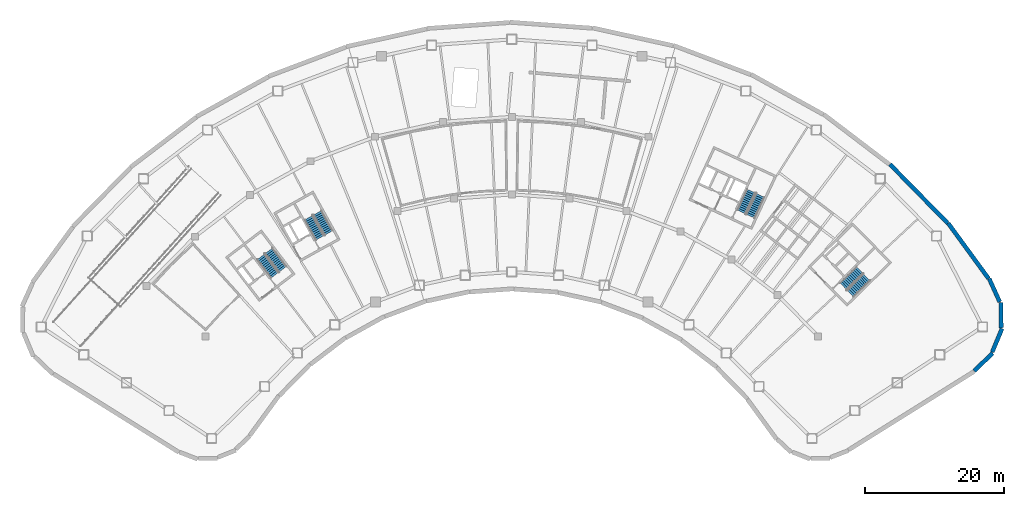
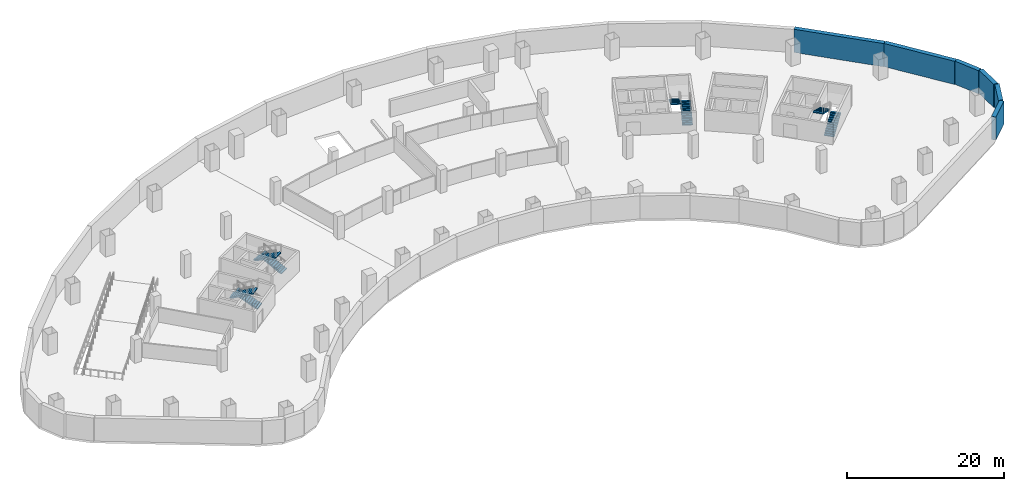
# One storey, part 8 of 10: 8 stair flights, 6 walls, 4 elements without a shape of their own.
"""IFC4 building model written with IfcOpenShell, lengths in metres."""

import ifcopenshell
import ifcopenshell.guid

model = None  # the IFC model being written
_history = None  # IfcOwnerHistory: only IFC2X3 demands one
_inside = {}  # id of a spatial element -> (the spatial element, [elements in it])
_under = {}  # id of a project, library or spatial element -> (it, [spatial elements below it])
_declared = {}  # id of a project -> (the project, [libraries it declares])
_typed = {}  # id of a type object -> (the type object, [elements of that type])
_made_of = {}  # id of a material, layer set ... -> (it, [elements and type objects made of it])


def new_model(schema):
    """Start an empty IFC model of exactly this schema.

    Asked for "IFC4X3", IfcOpenShell would pick the latest addendum, in which some entities
    have other attributes; the version numbers below select the first issue.
    IFC2X3 requires an IfcOwnerHistory on every rooted entity: one is made here for all.
    """
    global model, _history
    if schema == "IFC4X3":
        model = ifcopenshell.file(schema_version=(4, 3, 0, 0))
    else:
        model = ifcopenshell.file(schema=schema)
    _inside.clear()
    _under.clear()
    _declared.clear()
    _typed.clear()
    _made_of.clear()
    _history = None
    if model.schema == "IFC2X3":
        org = make("IfcOrganization", Name="unknown")
        user = make(
            "IfcPersonAndOrganization",
            ThePerson=make("IfcPerson", FamilyName="unknown"),
            TheOrganization=org,
        )
        app = make(
            "IfcApplication",
            ApplicationDeveloper=org,
            Version="unknown",
            ApplicationFullName="unknown",
            ApplicationIdentifier="unknown",
        )
        _history = make(
            "IfcOwnerHistory",
            OwningUser=user,
            OwningApplication=app,
            ChangeAction="ADDED",
            CreationDate=0,
        )
    return model


def make(cls, **values):
    """One entity of the class cls with the attributes given. An attribute that is None is left unset."""
    return model.create_entity(
        cls, **{name: value for name, value in values.items() if value is not None}
    )


def rooted(cls, **values):
    """An entity with a GlobalId (a new one), such as an element, a storey or a relation."""
    return make(cls, GlobalId=ifcopenshell.guid.new(), OwnerHistory=_history, **values)


def si_unit(unit_type, name, prefix=None):
    """IfcSIUnit, for example si_unit("LENGTHUNIT", "METRE", prefix="MILLI")."""
    return make("IfcSIUnit", UnitType=unit_type, Prefix=prefix, Name=name)


def assignment(units):
    """IfcUnitAssignment: the units of a project."""
    return None if units is None else make("IfcUnitAssignment", Units=units)


def point(xyz):
    """IfcCartesianPoint."""
    return None if xyz is None else make("IfcCartesianPoint", Coordinates=xyz)


def direction(xyz):
    """IfcDirection."""
    return None if xyz is None else make("IfcDirection", DirectionRatios=xyz)


def frame(location, z_axis=None, x_axis=None):
    """IfcAxis2Placement3D, a coordinate frame: its origin and axes. An axis left out is left unset."""
    return make(
        "IfcAxis2Placement3D",
        Location=point(location),
        Axis=direction(z_axis),
        RefDirection=direction(x_axis),
    )


def frame_2d(location, x_axis=None):
    """IfcAxis2Placement2D, a coordinate frame in the plane: its origin and x axis."""
    return make(
        "IfcAxis2Placement2D", Location=point(location), RefDirection=direction(x_axis)
    )


def origin():
    """The frame at (0, 0, 0) with its axes left unset."""
    return frame((0.0, 0.0, 0.0))


def place(relative_to, where):
    """IfcLocalPlacement: puts the frame where relative to a parent placement (None: the world)."""
    return make(
        "IfcLocalPlacement", PlacementRelTo=relative_to, RelativePlacement=where
    )


def context(
    kind, dimensions, precision=None, world=None, true_north=None, identifier=None
):
    """IfcGeometricRepresentationContext, for example the 3D "Model" context."""
    return make(
        "IfcGeometricRepresentationContext",
        ContextIdentifier=identifier,
        ContextType=kind,
        CoordinateSpaceDimension=dimensions,
        Precision=precision,
        WorldCoordinateSystem=world,
        TrueNorth=true_north,
    )


def subcontext(parent, identifier, kind, view, scale=None):
    """IfcGeometricRepresentationSubContext, for example "Body" below "Model"."""
    return make(
        "IfcGeometricRepresentationSubContext",
        ContextIdentifier=identifier,
        ContextType=kind,
        ParentContext=parent,
        TargetScale=scale,
        TargetView=view,
    )


def project(units=None, contexts=None):
    """IfcProject with its units and contexts."""
    return rooted(
        "IfcProject",
        Name="project",
        RepresentationContexts=contexts,
        UnitsInContext=assignment(units),
    )


def spatial(cls, under=None, at=None, **own):
    """A site, building, storey or space (cls), placed at a placement, below another one or the project."""
    s = rooted(cls, ObjectPlacement=at, **own)
    if under is not None:
        _under.setdefault(under.id(), (under, []))[1].append(s)
    return s


def polyline(points):
    """IfcPolyline through the points."""
    return make("IfcPolyline", Points=[point(p) for p in points])


def profile(cls, at=None, kind="AREA", **sizes):
    """A parametric profile (cls). Its sizes go by their IFC names, for example OverallWidth=200.0."""
    return make(cls, ProfileType=kind, Position=at, **sizes)


def rectangle(**sizes):
    """IfcRectangleProfileDef."""
    return profile("IfcRectangleProfileDef", **sizes)


def outline(outer, holes=None, kind="AREA"):
    """IfcArbitraryClosedProfileDef: a profile drawn as a closed curve; with holes, ...WithVoids."""
    if holes is None:
        return make("IfcArbitraryClosedProfileDef", ProfileType=kind, OuterCurve=outer)
    return make(
        "IfcArbitraryProfileDefWithVoids",
        ProfileType=kind,
        OuterCurve=outer,
        InnerCurves=holes,
    )


def extrude(swept, where, along, depth):
    """IfcExtrudedAreaSolid: the profile swept, set in the frame where, extruded along a direction by depth."""
    return make(
        "IfcExtrudedAreaSolid",
        SweptArea=swept,
        Position=where,
        ExtrudedDirection=direction(along),
        Depth=depth,
    )


def shape(context_of_items, identifier, shape_type, items):
    """IfcShapeRepresentation: the items that make up one representation, for example the "Body"."""
    return make(
        "IfcShapeRepresentation",
        ContextOfItems=context_of_items,
        RepresentationIdentifier=identifier,
        RepresentationType=shape_type,
        Items=items,
    )


def material(Name=None, Category=None):
    """IfcMaterial."""
    return make("IfcMaterial", Name=Name, Category=Category)


def layer(
    of_material, thickness, ventilated=None, Name=None, Category=None, Priority=None
):
    """IfcMaterialLayer: one layer of a wall or slab, of a material (None: an air gap)."""
    return make(
        "IfcMaterialLayer",
        Material=of_material,
        LayerThickness=thickness,
        IsVentilated=ventilated,
        Name=Name,
        Category=Category,
        Priority=Priority,
    )


def layer_set(layers, Name=None):
    """IfcMaterialLayerSet."""
    return make("IfcMaterialLayerSet", MaterialLayers=layers, LayerSetName=Name)


def made_of(thing, what):
    """Note that an element or type object is made of a material, layer set ...; save() writes the relation."""
    if what is not None:
        _made_of.setdefault(what.id(), (what, []))[1].append(thing)
    return thing


def type_object(cls, material=None, **own):
    """A type object (cls), such as IfcWallType, which elements share."""
    return made_of(rooted(cls, **own), material)


def element(
    cls,
    number,
    at=None,
    inside=None,
    cuts=None,
    type_object=None,
    material=None,
    context=None,
    identifier="Body",
    shape_type=None,
    held_by="IfcProductDefinitionShape",
    body=None,
    shapes=None,
    **own,
):
    """One element of the class cls, such as IfcWall. Its Tag is "e" and its number.

    at: its placement. inside: the storey or other place that contains it. cuts: it is an
    opening in that element (IfcRelVoidsElement). A single representation is given by context,
    identifier, shape_type and body (its items); several are given by shapes. held_by: the class
    of the entity that holds the representations. save() writes the other relations.
    """
    e = rooted(cls, Tag="e%d" % number, ObjectPlacement=at, **own)
    if body is not None:
        shapes = [shape(context, identifier, shape_type, body)]
    if shapes is not None:
        e.Representation = make(held_by, Representations=shapes)
    if inside is not None:
        _inside.setdefault(inside.id(), (inside, []))[1].append(e)
    if cuts is not None:
        rooted(
            "IfcRelVoidsElement", RelatingBuildingElement=cuts, RelatedOpeningElement=e
        )
    if type_object is not None:
        _typed.setdefault(type_object.id(), (type_object, []))[1].append(e)
    return made_of(e, material)


def aggregate(whole, parts):
    """IfcRelAggregates: a whole, such as a stair, and the parts it consists of."""
    return rooted("IfcRelAggregates", RelatingObject=whole, RelatedObjects=parts)


def save(model, path):
    """Write the relations noted so far, then the file.

    IfcRelAggregates (storeys below a building ...), IfcRelContainedInSpatialStructure (elements
    in a storey), IfcRelDefinesByType, IfcRelAssociatesMaterial and IfcRelDeclares: one each for
    every whole, place, type object, material and project.
    """
    for whole, parts in _under.values():
        aggregate(whole, parts)
    for where, things in _inside.values():
        rooted(
            "IfcRelContainedInSpatialStructure",
            RelatedElements=things,
            RelatingStructure=where,
        )
    for kind, things in _typed.values():
        rooted("IfcRelDefinesByType", RelatedObjects=things, RelatingType=kind)
    for what, things in _made_of.values():
        rooted("IfcRelAssociatesMaterial", RelatedObjects=things, RelatingMaterial=what)
    for by, libraries in _declared.values():
        rooted("IfcRelDeclares", RelatingContext=by, RelatedDefinitions=libraries)
    model.write(path)


model = new_model("IFC4")

# Units and contexts
model_context = context("Model", 3, precision=1e-05, world=origin(), true_north=direction((0.0, 1.0)))
body_context = subcontext(model_context, "Body", "Model", "MODEL_VIEW")
ifc_project = project(units=[si_unit("LENGTHUNIT", "METRE"), si_unit("AREAUNIT", "SQUARE_METRE"), si_unit("VOLUMEUNIT", "CUBIC_METRE"), si_unit("PLANEANGLEUNIT", "RADIAN"), si_unit("MASSUNIT", "GRAM", prefix="KILO")], contexts=[model_context])

# Site, building, storey
site_placement = place(None, origin())
site = spatial("IfcSite", under=ifc_project, at=site_placement, CompositionType="ELEMENT")
building_placement = place(site_placement, origin())
building = spatial("IfcBuilding", under=site, at=building_placement, Name="Tuul Gate Civic Tower", CompositionType="ELEMENT")
storey_placement = place(building_placement, frame((0.0, 0.0, -8.10009765625)))
storey = spatial("IfcBuildingStorey", under=building, at=storey_placement, Name="Basement 2", CompositionType="ELEMENT", Elevation=-8.10009765625)

# Walls
ifc_material_1 = material(Name="Concrete C40/50", Category="concrete")
ifc_layer = layer(ifc_material_1, 0.60009765625)
ifc_layer_set = layer_set([ifc_layer], Name="Concrete C40/50")
wall_type = type_object("IfcWallType", Name="STR-BASEMENT-WALL-600", PredefinedType="SOLIDWALL", material=ifc_layer_set)
wall_1_placement = place(storey_placement, frame((66.369140625, -27.698486328125, 0.0), z_axis=(0.0, 0.0, 1.0), x_axis=(0.722172464987, 0.691713040801, 0.0)))
element("IfcWall", 1, at=wall_1_placement, inside=storey, type_object=wall_type, Name="Retaining wall", PredefinedType="SOLIDWALL", context=body_context, shape_type="SweptSolid", body=[
    extrude(rectangle(XDim=3.695068359375, YDim=0.60009765625, at=frame_2d((1.84765625, 0.0))), origin(), (0.0, 0.0, 1.0), 3.60009765625),
])
wall_2_placement = place(storey_placement, frame((68.973876953125, -24.984619140625, 0.0), z_axis=(0.0, 0.0, 1.0), x_axis=(0.38582474077, 0.922572094424, 0.0)))
element("IfcWall", 2, at=wall_2_placement, inside=storey, type_object=wall_type, Name="Retaining wall", PredefinedType="SOLIDWALL", context=body_context, shape_type="SweptSolid", body=[
    extrude(rectangle(XDim=3.654296875, YDim=0.60009765625, at=frame_2d((1.8271484375, 0.0))), origin(), (0.0, 0.0, 1.0), 3.60009765625),
])
wall_3_placement = place(storey_placement, frame((70.26220703125, -21.494140625, 0.0), z_axis=(0.0, 0.0, 1.0), x_axis=(-0.014359617427, 0.999896895378, 0.0)))
element("IfcWall", 3, at=wall_3_placement, inside=storey, type_object=wall_type, Name="Retaining wall", PredefinedType="SOLIDWALL", context=body_context, shape_type="SweptSolid", body=[
    extrude(rectangle(XDim=3.655517578125, YDim=0.60009765625, at=frame_2d((1.82763671875, 0.0))), origin(), (0.0, 0.0, 1.0), 3.60009765625),
])
wall_4_placement = place(storey_placement, frame((70.050537109375, -17.7783203125, 0.0), z_axis=(0.0, 0.0, 1.0), x_axis=(-0.413012649276, 0.910725288733, 0.0)))
element("IfcWall", 4, at=wall_4_placement, inside=storey, type_object=wall_type, Name="Retaining wall", PredefinedType="SOLIDWALL", context=body_context, shape_type="SweptSolid", body=[
    extrude(rectangle(XDim=3.65478515625, YDim=0.60009765625, at=frame_2d((1.827392578125, 0.0))), origin(), (0.0, 0.0, 1.0), 3.60009765625),
])
wall_5_placement = place(storey_placement, frame((68.454833984375, -14.435302734375, 0.0), z_axis=(0.0, 0.0, 1.0), x_axis=(-0.58971390071, 0.807612230783, 0.0)))
element("IfcWall", 5, at=wall_5_placement, inside=storey, type_object=wall_type, Name="Retaining wall", PredefinedType="SOLIDWALL", context=body_context, shape_type="SweptSolid", body=[
    extrude(rectangle(XDim=9.82958984375, YDim=0.60009765625, at=frame_2d((4.914794921875, 0.0))), origin(), (0.0, 0.0, 1.0), 3.60009765625),
])
wall_6_placement = place(storey_placement, frame((62.595947265625, -6.4951171875, 0.0), z_axis=(0.0, 0.0, 1.0), x_axis=(-0.70006297283, 0.71408111169, 0.0)))
element("IfcWall", 6, at=wall_6_placement, inside=storey, type_object=wall_type, Name="Retaining wall", PredefinedType="SOLIDWALL", context=body_context, shape_type="SweptSolid", body=[
    extrude(rectangle(XDim=11.8603515625, YDim=0.60009765625, at=frame_2d((5.93017578125, 0.0))), origin(), (0.0, 0.0, 1.0), 3.60009765625),
])

# Stair, stair flights
ifc_material_2 = material(Name="Concrete C40/50", Category="concrete")
stair_type = type_object("IfcStairType", Name="Exit stair", PredefinedType="HALF_TURN_STAIR", material=ifc_material_2)
stair_1_placement = place(storey_placement, origin())
stair_1 = element("IfcStair", 7, at=stair_1_placement, inside=storey, type_object=stair_type, Name="Basement 2 ST-1", PredefinedType="HALF_TURN_STAIR")
ifc_material_3 = material(Name="Concrete C40/50", Category="concrete")
stair_flight_type = type_object("IfcStairFlightType", Name="Exit stair flight", PredefinedType="STRAIGHT", material=ifc_material_3)
stair_flight_1_placement = place(storey_placement, frame((-32.875244140625, -13.066650390625, 0.0), z_axis=(0.0, 0.0, 1.0), x_axis=(-0.605764474941, 0.795644016442, 0.0)))
stair_flight_1 = element("IfcStairFlight", 8, at=stair_flight_1_placement, type_object=stair_flight_type, Name="ST-1 flight 1", NumberOfRisers=12, NumberOfTreads=11, PredefinedType="STRAIGHT", RiserHeight=0.15, TreadLength=0.3, context=body_context, shape_type="SweptSolid", body=[
    extrude(outline(polyline([(0.0, 0.0), (0.0, 0.14990234375), (0.300048828125, 0.14990234375), (0.300048828125, 0.300048828125), (0.60009765625, 0.300048828125), (0.60009765625, 0.449951171875), (0.89990234375, 0.449951171875), (0.89990234375, 0.60009765625), (1.199951171875, 0.60009765625), (1.199951171875, 0.75), (1.5, 0.75), (1.5, 0.89990234375), (1.800048828125, 0.89990234375), (1.800048828125, 1.050048828125), (2.10009765625, 1.050048828125), (2.10009765625, 1.199951171875), (2.39990234375, 1.199951171875), (2.39990234375, 1.35009765625), (2.699951171875, 1.35009765625), (2.699951171875, 1.5), (3.0, 1.5), (3.0, 1.64990234375), (3.300048828125, 1.64990234375), (3.300048828125, 1.800048828125), (3.300048828125, 1.482421875), (0.335205078125, 0.0), (0.0, 0.0)])), frame((0.0, 0.675048828125, 0.0), z_axis=(0.0, -1.0, 0.0), x_axis=(1.0, 0.0, 0.0)), (0.0, 0.0, 1.0), 1.35009765625),
])
stair_flight_2_placement = place(storey_placement, frame((-36.02783203125, -11.319580078125, 1.800048828125), z_axis=(0.0, 0.0, 1.0), x_axis=(0.605764474941, -0.795644016442, 0.0)))
stair_flight_2 = element("IfcStairFlight", 9, at=stair_flight_2_placement, type_object=stair_flight_type, Name="ST-1 flight 2", NumberOfRisers=12, NumberOfTreads=11, PredefinedType="STRAIGHT", RiserHeight=0.15, TreadLength=0.3, context=body_context, shape_type="SweptSolid", body=[
    extrude(outline(polyline([(0.0, 0.0), (0.0, 0.14990234375), (0.300048828125, 0.14990234375), (0.300048828125, 0.300048828125), (0.60009765625, 0.300048828125), (0.60009765625, 0.449951171875), (0.89990234375, 0.449951171875), (0.89990234375, 0.60009765625), (1.199951171875, 0.60009765625), (1.199951171875, 0.75), (1.5, 0.75), (1.5, 0.89990234375), (1.800048828125, 0.89990234375), (1.800048828125, 1.050048828125), (2.10009765625, 1.050048828125), (2.10009765625, 1.199951171875), (2.39990234375, 1.199951171875), (2.39990234375, 1.35009765625), (2.699951171875, 1.35009765625), (2.699951171875, 1.5), (3.0, 1.5), (3.0, 1.64990234375), (3.300048828125, 1.64990234375), (3.300048828125, 1.800048828125), (3.300048828125, 1.482421875), (0.335205078125, 0.0), (0.0, 0.0)])), frame((0.0, 0.675048828125, 0.0), z_axis=(0.0, -1.0, 0.0), x_axis=(1.0, 0.0, 0.0)), (0.0, 0.0, 1.0), 1.35009765625),
])
aggregate(stair_1, [stair_flight_1, stair_flight_2])

stair_2_placement = place(storey_placement, origin())
stair_2 = element("IfcStair", 10, at=stair_2_placement, inside=storey, type_object=stair_type, Name="Basement 2 ST-2", PredefinedType="HALF_TURN_STAIR")
stair_flight_3_placement = place(storey_placement, frame((-26.29150390625, -7.87646484375, 0.0), z_axis=(0.0, 0.0, 1.0), x_axis=(-0.484761763766, 0.874646232708, 0.0)))
stair_flight_3 = element("IfcStairFlight", 11, at=stair_flight_3_placement, type_object=stair_flight_type, Name="ST-2 flight 1", NumberOfRisers=12, NumberOfTreads=11, PredefinedType="STRAIGHT", RiserHeight=0.15, TreadLength=0.3, context=body_context, shape_type="SweptSolid", body=[
    extrude(outline(polyline([(0.0, 0.0), (0.0, 0.14990234375), (0.300048828125, 0.14990234375), (0.300048828125, 0.300048828125), (0.60009765625, 0.300048828125), (0.60009765625, 0.449951171875), (0.89990234375, 0.449951171875), (0.89990234375, 0.60009765625), (1.199951171875, 0.60009765625), (1.199951171875, 0.75), (1.5, 0.75), (1.5, 0.89990234375), (1.800048828125, 0.89990234375), (1.800048828125, 1.050048828125), (2.10009765625, 1.050048828125), (2.10009765625, 1.199951171875), (2.39990234375, 1.199951171875), (2.39990234375, 1.35009765625), (2.699951171875, 1.35009765625), (2.699951171875, 1.5), (3.0, 1.5), (3.0, 1.64990234375), (3.300048828125, 1.64990234375), (3.300048828125, 1.800048828125), (3.300048828125, 1.482421875), (0.335205078125, 0.0), (0.0, 0.0)])), frame((0.0, 0.675048828125, 0.0), z_axis=(0.0, -1.0, 0.0), x_axis=(1.0, 0.0, 0.0)), (0.0, 0.0, 1.0), 1.35009765625),
])
stair_flight_4_placement = place(storey_placement, frame((-29.15966796875, -5.693115234375, 1.800048828125), z_axis=(0.0, 0.0, 1.0), x_axis=(0.484761763766, -0.874646232708, 0.0)))
stair_flight_4 = element("IfcStairFlight", 12, at=stair_flight_4_placement, type_object=stair_flight_type, Name="ST-2 flight 2", NumberOfRisers=12, NumberOfTreads=11, PredefinedType="STRAIGHT", RiserHeight=0.15, TreadLength=0.3, context=body_context, shape_type="SweptSolid", body=[
    extrude(outline(polyline([(0.0, 0.0), (0.0, 0.14990234375), (0.300048828125, 0.14990234375), (0.300048828125, 0.300048828125), (0.60009765625, 0.300048828125), (0.60009765625, 0.449951171875), (0.89990234375, 0.449951171875), (0.89990234375, 0.60009765625), (1.199951171875, 0.60009765625), (1.199951171875, 0.75), (1.5, 0.75), (1.5, 0.89990234375), (1.800048828125, 0.89990234375), (1.800048828125, 1.050048828125), (2.10009765625, 1.050048828125), (2.10009765625, 1.199951171875), (2.39990234375, 1.199951171875), (2.39990234375, 1.35009765625), (2.699951171875, 1.35009765625), (2.699951171875, 1.5), (3.0, 1.5), (3.0, 1.64990234375), (3.300048828125, 1.64990234375), (3.300048828125, 1.800048828125), (3.300048828125, 1.482421875), (0.335205078125, 0.0), (0.0, 0.0)])), frame((0.0, 0.675048828125, 0.0), z_axis=(0.0, -1.0, 0.0), x_axis=(1.0, 0.0, 0.0)), (0.0, 0.0, 1.0), 1.35009765625),
])
aggregate(stair_2, [stair_flight_3, stair_flight_4])

stair_3_placement = place(storey_placement, origin())
stair_3 = element("IfcStair", 13, at=stair_3_placement, inside=storey, type_object=stair_type, Name="Basement 2 ST-3", PredefinedType="HALF_TURN_STAIR")
stair_flight_5_placement = place(storey_placement, frame((48.61376953125, -16.581787109375, 0.0), z_axis=(0.0, 0.0, 1.0), x_axis=(0.714127290059, 0.700015866672, 0.0)))
stair_flight_5 = element("IfcStairFlight", 14, at=stair_flight_5_placement, type_object=stair_flight_type, Name="ST-3 flight 1", NumberOfRisers=12, NumberOfTreads=11, PredefinedType="STRAIGHT", RiserHeight=0.15, TreadLength=0.3, context=body_context, shape_type="SweptSolid", body=[
    extrude(outline(polyline([(0.0, 0.0), (0.0, 0.14990234375), (0.300048828125, 0.14990234375), (0.300048828125, 0.300048828125), (0.60009765625, 0.300048828125), (0.60009765625, 0.449951171875), (0.89990234375, 0.449951171875), (0.89990234375, 0.60009765625), (1.199951171875, 0.60009765625), (1.199951171875, 0.75), (1.5, 0.75), (1.5, 0.89990234375), (1.800048828125, 0.89990234375), (1.800048828125, 1.050048828125), (2.10009765625, 1.050048828125), (2.10009765625, 1.199951171875), (2.39990234375, 1.199951171875), (2.39990234375, 1.35009765625), (2.699951171875, 1.35009765625), (2.699951171875, 1.5), (3.0, 1.5), (3.0, 1.64990234375), (3.300048828125, 1.64990234375), (3.300048828125, 1.800048828125), (3.300048828125, 1.482421875), (0.335205078125, 0.0), (0.0, 0.0)])), frame((0.0, 0.675048828125, 0.0), z_axis=(0.0, -1.0, 0.0), x_axis=(1.0, 0.0, 0.0)), (0.0, 0.0, 1.0), 1.35009765625),
])
stair_flight_6_placement = place(storey_placement, frame((49.955322265625, -13.236083984375, 1.800048828125), z_axis=(0.0, 0.0, 1.0), x_axis=(-0.714127290059, -0.700015866672, 0.0)))
stair_flight_6 = element("IfcStairFlight", 15, at=stair_flight_6_placement, type_object=stair_flight_type, Name="ST-3 flight 2", NumberOfRisers=12, NumberOfTreads=11, PredefinedType="STRAIGHT", RiserHeight=0.15, TreadLength=0.3, context=body_context, shape_type="SweptSolid", body=[
    extrude(outline(polyline([(0.0, 0.0), (0.0, 0.14990234375), (0.300048828125, 0.14990234375), (0.300048828125, 0.300048828125), (0.60009765625, 0.300048828125), (0.60009765625, 0.449951171875), (0.89990234375, 0.449951171875), (0.89990234375, 0.60009765625), (1.199951171875, 0.60009765625), (1.199951171875, 0.75), (1.5, 0.75), (1.5, 0.89990234375), (1.800048828125, 0.89990234375), (1.800048828125, 1.050048828125), (2.10009765625, 1.050048828125), (2.10009765625, 1.199951171875), (2.39990234375, 1.199951171875), (2.39990234375, 1.35009765625), (2.699951171875, 1.35009765625), (2.699951171875, 1.5), (3.0, 1.5), (3.0, 1.64990234375), (3.300048828125, 1.64990234375), (3.300048828125, 1.800048828125), (3.300048828125, 1.482421875), (0.335205078125, 0.0), (0.0, 0.0)])), frame((0.0, 0.675048828125, 0.0), z_axis=(0.0, -1.0, 0.0), x_axis=(1.0, 0.0, 0.0)), (0.0, 0.0, 1.0), 1.35009765625),
])
aggregate(stair_3, [stair_flight_5, stair_flight_6])

stair_4_placement = place(storey_placement, origin())
stair_4 = element("IfcStair", 16, at=stair_4_placement, inside=storey, type_object=stair_type, Name="Basement 2 ST-4", PredefinedType="HALF_TURN_STAIR")
stair_flight_7_placement = place(storey_placement, frame((34.278564453125, -5.478515625, 0.0), z_axis=(0.0, 0.0, 1.0), x_axis=(0.422576295988, 0.906327354806, 0.0)))
stair_flight_7 = element("IfcStairFlight", 17, at=stair_flight_7_placement, type_object=stair_flight_type, Name="ST-4 flight 1", NumberOfRisers=12, NumberOfTreads=11, PredefinedType="STRAIGHT", RiserHeight=0.15, TreadLength=0.3, context=body_context, shape_type="SweptSolid", body=[
    extrude(outline(polyline([(0.0, 0.0), (0.0, 0.14990234375), (0.300048828125, 0.14990234375), (0.300048828125, 0.300048828125), (0.60009765625, 0.300048828125), (0.60009765625, 0.449951171875), (0.89990234375, 0.449951171875), (0.89990234375, 0.60009765625), (1.199951171875, 0.60009765625), (1.199951171875, 0.75), (1.5, 0.75), (1.5, 0.89990234375), (1.800048828125, 0.89990234375), (1.800048828125, 1.050048828125), (2.10009765625, 1.050048828125), (2.10009765625, 1.199951171875), (2.39990234375, 1.199951171875), (2.39990234375, 1.35009765625), (2.699951171875, 1.35009765625), (2.699951171875, 1.5), (3.0, 1.5), (3.0, 1.64990234375), (3.300048828125, 1.64990234375), (3.300048828125, 1.800048828125), (3.300048828125, 1.482421875), (0.335205078125, 0.0), (0.0, 0.0)])), frame((0.0, 0.675048828125, 0.0), z_axis=(0.0, -1.0, 0.0), x_axis=(1.0, 0.0, 0.0)), (0.0, 0.0, 1.0), 1.35009765625),
])
stair_flight_8_placement = place(storey_placement, frame((34.35888671875, -1.875, 1.800048828125), z_axis=(0.0, 0.0, 1.0), x_axis=(-0.422576295988, -0.906327354806, 0.0)))
stair_flight_8 = element("IfcStairFlight", 18, at=stair_flight_8_placement, type_object=stair_flight_type, Name="ST-4 flight 2", NumberOfRisers=12, NumberOfTreads=11, PredefinedType="STRAIGHT", RiserHeight=0.15, TreadLength=0.3, context=body_context, shape_type="SweptSolid", body=[
    extrude(outline(polyline([(0.0, 0.0), (0.0, 0.14990234375), (0.300048828125, 0.14990234375), (0.300048828125, 0.300048828125), (0.60009765625, 0.300048828125), (0.60009765625, 0.449951171875), (0.89990234375, 0.449951171875), (0.89990234375, 0.60009765625), (1.199951171875, 0.60009765625), (1.199951171875, 0.75), (1.5, 0.75), (1.5, 0.89990234375), (1.800048828125, 0.89990234375), (1.800048828125, 1.050048828125), (2.10009765625, 1.050048828125), (2.10009765625, 1.199951171875), (2.39990234375, 1.199951171875), (2.39990234375, 1.35009765625), (2.699951171875, 1.35009765625), (2.699951171875, 1.5), (3.0, 1.5), (3.0, 1.64990234375), (3.300048828125, 1.64990234375), (3.300048828125, 1.800048828125), (3.300048828125, 1.482421875), (0.335205078125, 0.0), (0.0, 0.0)])), frame((0.0, 0.675048828125, 0.0), z_axis=(0.0, -1.0, 0.0), x_axis=(1.0, 0.0, 0.0)), (0.0, 0.0, 1.0), 1.35009765625),
])
aggregate(stair_4, [stair_flight_7, stair_flight_8])

save(model, "model.ifc")
